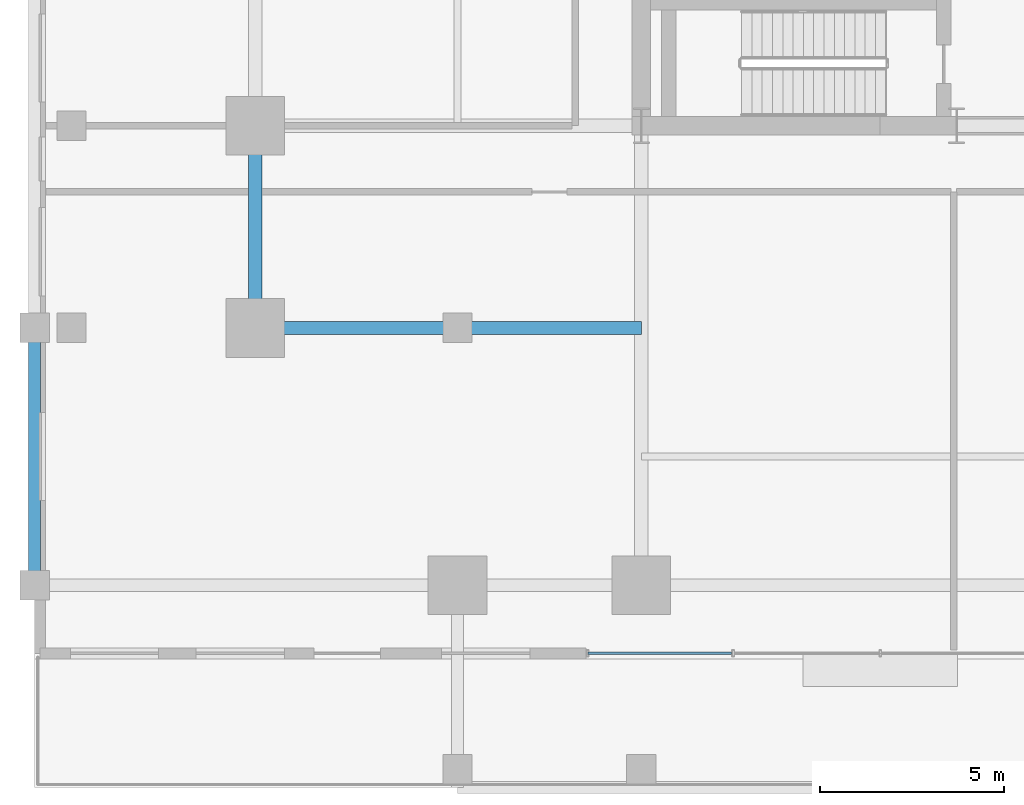
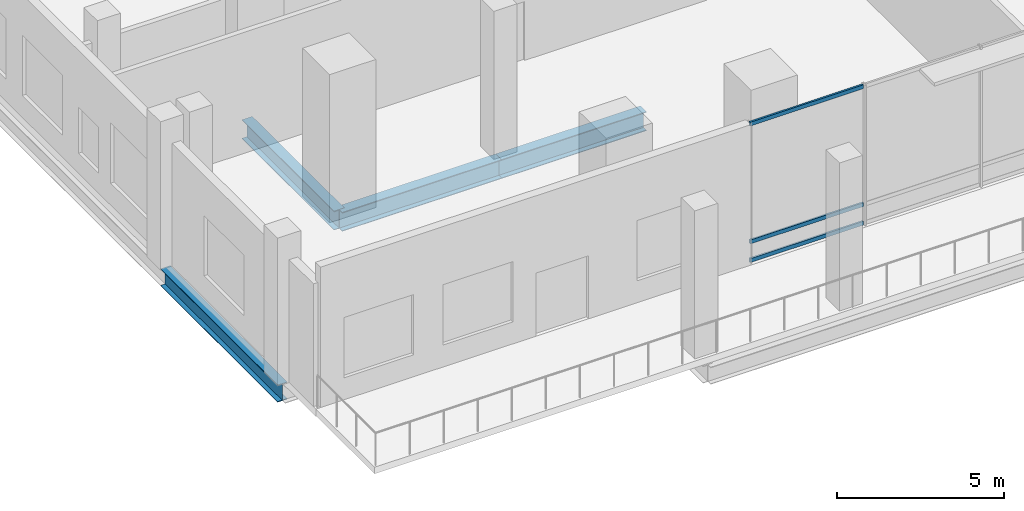
# One storey, part 4 of 36: 4 beams, 3 members, 1 element without a shape of its own.
"""IFC4 building model written with IfcOpenShell, lengths in metres."""

import ifcopenshell
import ifcopenshell.guid

model = None  # the IFC model being written
_history = None  # IfcOwnerHistory: only IFC2X3 demands one
_inside = {}  # id of a spatial element -> (the spatial element, [elements in it])
_under = {}  # id of a project, library or spatial element -> (it, [spatial elements below it])
_declared = {}  # id of a project -> (the project, [libraries it declares])
_typed = {}  # id of a type object -> (the type object, [elements of that type])
_made_of = {}  # id of a material, layer set ... -> (it, [elements and type objects made of it])


def new_model(schema):
    """Start an empty IFC model of exactly this schema.

    Asked for "IFC4X3", IfcOpenShell would pick the latest addendum, in which some entities
    have other attributes; the version numbers below select the first issue.
    IFC2X3 requires an IfcOwnerHistory on every rooted entity: one is made here for all.
    """
    global model, _history
    if schema == "IFC4X3":
        model = ifcopenshell.file(schema_version=(4, 3, 0, 0))
    else:
        model = ifcopenshell.file(schema=schema)
    _inside.clear()
    _under.clear()
    _declared.clear()
    _typed.clear()
    _made_of.clear()
    _history = None
    if model.schema == "IFC2X3":
        org = make("IfcOrganization", Name="unknown")
        user = make(
            "IfcPersonAndOrganization",
            ThePerson=make("IfcPerson", FamilyName="unknown"),
            TheOrganization=org,
        )
        app = make(
            "IfcApplication",
            ApplicationDeveloper=org,
            Version="unknown",
            ApplicationFullName="unknown",
            ApplicationIdentifier="unknown",
        )
        _history = make(
            "IfcOwnerHistory",
            OwningUser=user,
            OwningApplication=app,
            ChangeAction="ADDED",
            CreationDate=0,
        )
    return model


def make(cls, **values):
    """One entity of the class cls with the attributes given. An attribute that is None is left unset."""
    return model.create_entity(
        cls, **{name: value for name, value in values.items() if value is not None}
    )


def rooted(cls, **values):
    """An entity with a GlobalId (a new one), such as an element, a storey or a relation."""
    return make(cls, GlobalId=ifcopenshell.guid.new(), OwnerHistory=_history, **values)


def si_unit(unit_type, name, prefix=None):
    """IfcSIUnit, for example si_unit("LENGTHUNIT", "METRE", prefix="MILLI")."""
    return make("IfcSIUnit", UnitType=unit_type, Prefix=prefix, Name=name)


def assignment(units):
    """IfcUnitAssignment: the units of a project."""
    return None if units is None else make("IfcUnitAssignment", Units=units)


def point(xyz):
    """IfcCartesianPoint."""
    return None if xyz is None else make("IfcCartesianPoint", Coordinates=xyz)


def direction(xyz):
    """IfcDirection."""
    return None if xyz is None else make("IfcDirection", DirectionRatios=xyz)


def frame(location, z_axis=None, x_axis=None):
    """IfcAxis2Placement3D, a coordinate frame: its origin and axes. An axis left out is left unset."""
    return make(
        "IfcAxis2Placement3D",
        Location=point(location),
        Axis=direction(z_axis),
        RefDirection=direction(x_axis),
    )


def frame_2d(location, x_axis=None):
    """IfcAxis2Placement2D, a coordinate frame in the plane: its origin and x axis."""
    return make(
        "IfcAxis2Placement2D", Location=point(location), RefDirection=direction(x_axis)
    )


def origin():
    """The frame at (0, 0, 0) with its axes left unset."""
    return frame((0.0, 0.0, 0.0))


def origin_2d():
    """The frame at (0, 0) in the plane with its x axis left unset."""
    return frame_2d((0.0, 0.0))


def place(relative_to, where):
    """IfcLocalPlacement: puts the frame where relative to a parent placement (None: the world)."""
    return make(
        "IfcLocalPlacement", PlacementRelTo=relative_to, RelativePlacement=where
    )


def context(
    kind, dimensions, precision=None, world=None, true_north=None, identifier=None
):
    """IfcGeometricRepresentationContext, for example the 3D "Model" context."""
    return make(
        "IfcGeometricRepresentationContext",
        ContextIdentifier=identifier,
        ContextType=kind,
        CoordinateSpaceDimension=dimensions,
        Precision=precision,
        WorldCoordinateSystem=world,
        TrueNorth=true_north,
    )


def subcontext(parent, identifier, kind, view, scale=None):
    """IfcGeometricRepresentationSubContext, for example "Body" below "Model"."""
    return make(
        "IfcGeometricRepresentationSubContext",
        ContextIdentifier=identifier,
        ContextType=kind,
        ParentContext=parent,
        TargetScale=scale,
        TargetView=view,
    )


def project(units=None, contexts=None):
    """IfcProject with its units and contexts."""
    return rooted(
        "IfcProject",
        Name="project",
        RepresentationContexts=contexts,
        UnitsInContext=assignment(units),
    )


def spatial(cls, under=None, at=None, **own):
    """A site, building, storey or space (cls), placed at a placement, below another one or the project."""
    s = rooted(cls, ObjectPlacement=at, **own)
    if under is not None:
        _under.setdefault(under.id(), (under, []))[1].append(s)
    return s


def profile(cls, at=None, kind="AREA", **sizes):
    """A parametric profile (cls). Its sizes go by their IFC names, for example OverallWidth=200.0."""
    return make(cls, ProfileType=kind, Position=at, **sizes)


def hollow_rectangle(**sizes):
    """IfcRectangleHollowProfileDef."""
    return profile("IfcRectangleHollowProfileDef", **sizes)


def i_section(**sizes):
    """IfcIShapeProfileDef."""
    return profile("IfcIShapeProfileDef", **sizes)


def extrude(swept, where, along, depth):
    """IfcExtrudedAreaSolid: the profile swept, set in the frame where, extruded along a direction by depth."""
    return make(
        "IfcExtrudedAreaSolid",
        SweptArea=swept,
        Position=where,
        ExtrudedDirection=direction(along),
        Depth=depth,
    )


def shape(context_of_items, identifier, shape_type, items):
    """IfcShapeRepresentation: the items that make up one representation, for example the "Body"."""
    return make(
        "IfcShapeRepresentation",
        ContextOfItems=context_of_items,
        RepresentationIdentifier=identifier,
        RepresentationType=shape_type,
        Items=items,
    )


def material(Name=None, Category=None):
    """IfcMaterial."""
    return make("IfcMaterial", Name=Name, Category=Category)


def layer(
    of_material, thickness, ventilated=None, Name=None, Category=None, Priority=None
):
    """IfcMaterialLayer: one layer of a wall or slab, of a material (None: an air gap)."""
    return make(
        "IfcMaterialLayer",
        Material=of_material,
        LayerThickness=thickness,
        IsVentilated=ventilated,
        Name=Name,
        Category=Category,
        Priority=Priority,
    )


def layer_set(layers, Name=None):
    """IfcMaterialLayerSet."""
    return make("IfcMaterialLayerSet", MaterialLayers=layers, LayerSetName=Name)


def material_profile(
    of_material, cross_section, Name=None, Category=None, Priority=None
):
    """IfcMaterialProfile: a cross section and its material."""
    return make(
        "IfcMaterialProfile",
        Name=Name,
        Material=of_material,
        Profile=cross_section,
        Priority=Priority,
        Category=Category,
    )


def profile_set(profiles, Name=None, composite=None):
    """IfcMaterialProfileSet."""
    return make(
        "IfcMaterialProfileSet",
        Name=Name,
        MaterialProfiles=profiles,
        CompositeProfile=composite,
    )


def made_of(thing, what):
    """Note that an element or type object is made of a material, layer set ...; save() writes the relation."""
    if what is not None:
        _made_of.setdefault(what.id(), (what, []))[1].append(thing)
    return thing


def type_object(cls, material=None, **own):
    """A type object (cls), such as IfcWallType, which elements share."""
    return made_of(rooted(cls, **own), material)


def element(
    cls,
    number,
    at=None,
    inside=None,
    cuts=None,
    type_object=None,
    material=None,
    context=None,
    identifier="Body",
    shape_type=None,
    held_by="IfcProductDefinitionShape",
    body=None,
    shapes=None,
    **own,
):
    """One element of the class cls, such as IfcWall. Its Tag is "e" and its number.

    at: its placement. inside: the storey or other place that contains it. cuts: it is an
    opening in that element (IfcRelVoidsElement). A single representation is given by context,
    identifier, shape_type and body (its items); several are given by shapes. held_by: the class
    of the entity that holds the representations. save() writes the other relations.
    """
    e = rooted(cls, Tag="e%d" % number, ObjectPlacement=at, **own)
    if body is not None:
        shapes = [shape(context, identifier, shape_type, body)]
    if shapes is not None:
        e.Representation = make(held_by, Representations=shapes)
    if inside is not None:
        _inside.setdefault(inside.id(), (inside, []))[1].append(e)
    if cuts is not None:
        rooted(
            "IfcRelVoidsElement", RelatingBuildingElement=cuts, RelatedOpeningElement=e
        )
    if type_object is not None:
        _typed.setdefault(type_object.id(), (type_object, []))[1].append(e)
    return made_of(e, material)


def aggregate(whole, parts):
    """IfcRelAggregates: a whole, such as a stair, and the parts it consists of."""
    return rooted("IfcRelAggregates", RelatingObject=whole, RelatedObjects=parts)


def save(model, path):
    """Write the relations noted so far, then the file.

    IfcRelAggregates (storeys below a building ...), IfcRelContainedInSpatialStructure (elements
    in a storey), IfcRelDefinesByType, IfcRelAssociatesMaterial and IfcRelDeclares: one each for
    every whole, place, type object, material and project.
    """
    for whole, parts in _under.values():
        aggregate(whole, parts)
    for where, things in _inside.values():
        rooted(
            "IfcRelContainedInSpatialStructure",
            RelatedElements=things,
            RelatingStructure=where,
        )
    for kind, things in _typed.values():
        rooted("IfcRelDefinesByType", RelatedObjects=things, RelatingType=kind)
    for what, things in _made_of.values():
        rooted("IfcRelAssociatesMaterial", RelatedObjects=things, RelatingMaterial=what)
    for by, libraries in _declared.values():
        rooted("IfcRelDeclares", RelatingContext=by, RelatedDefinitions=libraries)
    model.write(path)


model = new_model("IFC4")

# Units and contexts
model_context = context("Model", 3, precision=1e-05, world=origin(), true_north=direction((0.0, 1.0)))
body_context = subcontext(model_context, "Body", "Model", "MODEL_VIEW")
ifc_project = project(units=[si_unit("LENGTHUNIT", "METRE"), si_unit("AREAUNIT", "SQUARE_METRE"), si_unit("VOLUMEUNIT", "CUBIC_METRE"), si_unit("PLANEANGLEUNIT", "RADIAN"), si_unit("MASSUNIT", "GRAM", prefix="KILO")], contexts=[model_context])

# Site, building, storey
site_placement = place(None, origin())
site = spatial("IfcSite", under=ifc_project, at=site_placement, CompositionType="ELEMENT")
building_placement = place(site_placement, origin())
building = spatial("IfcBuilding", under=site, at=building_placement, Name="Barlavira Tower and Art Museum", CompositionType="ELEMENT")
storey_placement = place(building_placement, frame((0.0, 0.0, 11.39990234375)))
storey = spatial("IfcBuildingStorey", under=building, at=storey_placement, Name="L02", CompositionType="ELEMENT", Elevation=11.39990234375)

# Curtain wall, members
ifc_material_1 = material(Name="Low-iron coastal laminated glass", Category="glass")
ifc_layer = layer(ifc_material_1, 0.179931640625, Name="Low-iron coastal laminated glass")
ifc_layer_set = layer_set([ifc_layer], Name="Low-iron coastal laminated glass")
curtain_wall_type = type_object("IfcCurtainWallType", Name="Pale-Metal Unitised Curtain Wall Zone 1", PredefinedType="NOTDEFINED", material=ifc_layer_set)
curtain_wall_placement = place(storey_placement, origin())
curtain_wall = element("IfcCurtainWall", 1, at=curtain_wall_placement, inside=storey, type_object=curtain_wall_type, Name="L02 Curtain Wall CW1-L02-S", PredefinedType="NOTDEFINED")
ifc_material_2 = material(Name="Pale anodised aluminium", Category="aluminium")
ifc_material_profile_1 = material_profile(ifc_material_2, hollow_rectangle(XDim=0.06494140625, YDim=0.139892578125, WallThickness=0.00390625, at=origin_2d()), Name="ALU-TRAN 65x140x4")
ifc_profile_set_1 = profile_set([ifc_material_profile_1], Name="Pale anodised aluminium")
member_type = type_object("IfcMemberType", Name="Curtain Wall Pale-Metal Transom 65x140", PredefinedType="USERDEFINED", material=ifc_profile_set_1)
member_1_placement = place(storey_placement, frame((-7.955078125, -21.85009765625, 0.070068359375), z_axis=(1.0, 0.0, 0.0), x_axis=(0.0, 1.0, 0.0)))
member_1 = element("IfcMember", 2, at=member_1_placement, type_object=member_type, Name="CW1-L02-S Transom 0.1", ObjectType="TRANSOM", PredefinedType="USERDEFINED", context=body_context, shape_type="SweptSolid", body=[
    extrude(hollow_rectangle(XDim=0.06494140625, YDim=0.139892578125, WallThickness=0.00390625, at=origin_2d()), origin(), (0.0, 0.0, 1.0), 3.91015625),
])
member_2_placement = place(storey_placement, frame((-7.955078125, -21.85009765625, 0.75), z_axis=(1.0, 0.0, 0.0), x_axis=(0.0, 1.0, 0.0)))
member_2 = element("IfcMember", 3, at=member_2_placement, type_object=member_type, Name="CW1-L02-S Transom 0.2", ObjectType="TRANSOM", PredefinedType="USERDEFINED", context=body_context, shape_type="SweptSolid", body=[
    extrude(hollow_rectangle(XDim=0.06494140625, YDim=0.139892578125, WallThickness=0.00390625, at=origin_2d()), origin(), (0.0, 0.0, 1.0), 3.91015625),
])
member_3_placement = place(storey_placement, frame((-7.955078125, -21.85009765625, 5.050048828125), z_axis=(1.0, 0.0, 0.0), x_axis=(0.0, 1.0, 0.0)))
member_3 = element("IfcMember", 4, at=member_3_placement, type_object=member_type, Name="CW1-L02-S Transom 0.3", ObjectType="TRANSOM", PredefinedType="USERDEFINED", context=body_context, shape_type="SweptSolid", body=[
    extrude(hollow_rectangle(XDim=0.06494140625, YDim=0.139892578125, WallThickness=0.00390625, at=origin_2d()), origin(), (0.0, 0.0, 1.0), 3.91015625),
])
aggregate(curtain_wall, [member_1, member_2, member_3])

# Beams
ifc_material_3 = material(Name="Steel S355", Category="steel")
ifc_material_profile_2 = material_profile(ifc_material_3, i_section(OverallWidth=0.327880859375, OverallDepth=0.62890625, WebThickness=0.013916015625, FlangeThickness=0.021484375, at=origin_2d()), Name="W610x174.0")
ifc_profile_set_2 = profile_set([ifc_material_profile_2], Name="Steel S355")
beam_type_1 = type_object("IfcBeamType", Name="Perimeter Spandrel Edge Beam W610x174 Steel S355", PredefinedType="SPANDREL", material=ifc_profile_set_2)
beam_1_placement = place(storey_placement, frame((-23.0, -20.0, -0.594482421875), z_axis=(0.0, 1.0, 0.0), x_axis=(-1.0, 0.0, 0.0)))
element("IfcBeam", 5, at=beam_1_placement, inside=storey, type_object=beam_type_1, Name="L02 Podium Spandrel PW1", PredefinedType="SPANDREL", context=body_context, shape_type="SweptSolid", body=[
    extrude(i_section(OverallWidth=0.327880859375, OverallDepth=0.62890625, WebThickness=0.013916015625, FlangeThickness=0.021484375, at=origin_2d()), origin(), (0.0, 0.0, 1.0), 7.0),
])
ifc_material_profile_3 = material_profile(ifc_material_3, i_section(OverallWidth=0.35595703125, OverallDepth=0.695068359375, WebThickness=0.014892578125, FlangeThickness=0.023681640625, at=origin_2d()), Name="W690x192.0")
ifc_profile_set_3 = profile_set([ifc_material_profile_3], Name="Steel S355")
beam_type_2 = type_object("IfcBeamType", Name="Podium Primary Girder W690x192 Steel S355", PredefinedType="BEAM", material=ifc_profile_set_3)
for number, where, z_axis, x_axis, name in (
    (6, (-17.0, -13.0, -0.62744140625), (0.0, 1.0, 0.0), (-1.0, 0.0, 0.0), "L02 Girder M-W1"),
    (7, (-17.0, -13.0, -0.62744140625), (1.0, 0.0, 0.0), (0.0, 1.0, 0.0), "L02 Girder I-S1"),
):
    element("IfcBeam", number, at=place(storey_placement, frame(where, z_axis=z_axis, x_axis=x_axis)), inside=storey, type_object=beam_type_2, Name=name, PredefinedType="BEAM", context=body_context, shape_type="SweptSolid", body=[
        extrude(i_section(OverallWidth=0.35595703125, OverallDepth=0.695068359375, WebThickness=0.014892578125, FlangeThickness=0.023681640625, at=origin_2d()), origin(), (0.0, 0.0, 1.0), 5.5),
    ])
beam_2_placement = place(storey_placement, frame((-11.5, -13.0, -0.62744140625), z_axis=(1.0, 0.0, 0.0), x_axis=(0.0, 1.0, 0.0)))
element("IfcBeam", 8, at=beam_2_placement, inside=storey, type_object=beam_type_2, Name="L02 Girder I-S2", PredefinedType="BEAM", context=body_context, shape_type="SweptSolid", body=[
    extrude(i_section(OverallWidth=0.35595703125, OverallDepth=0.695068359375, WebThickness=0.014892578125, FlangeThickness=0.023681640625, at=origin_2d()), origin(), (0.0, 0.0, 1.0), 5.0),
])

save(model, "model.ifc")
